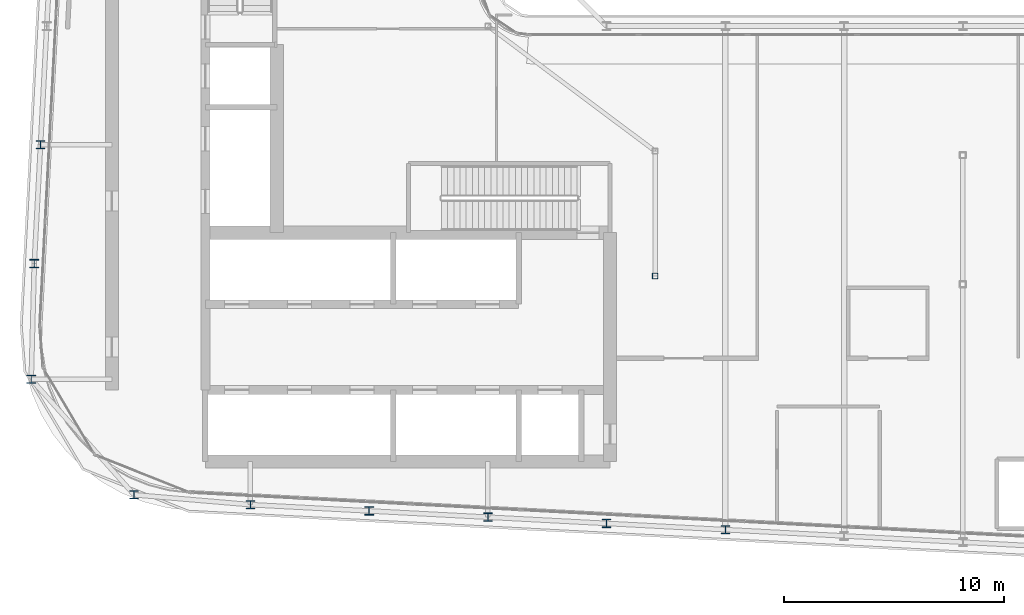
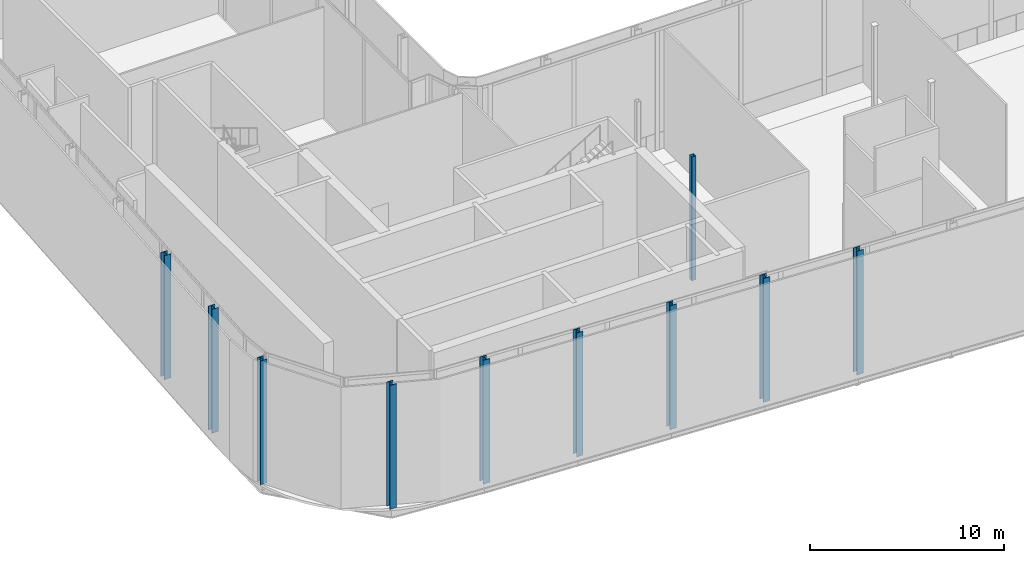
# One storey, part 1 of 27: 10 columns.
"""IFC4 building model written with IfcOpenShell, lengths in metres."""

from ifc_helpers import new_model, si_unit, direction, frame, origin, origin_2d, place, context, subcontext, project, spatial, hollow_rectangle, i_section, extrude, material, material_profile, profile_set, type_object, element, save


model = new_model("IFC4")

# Units and contexts
model_context = context("Model", 3, precision=1e-05, world=origin(), true_north=direction((0.0, 1.0)))
body_context = subcontext(model_context, "Body", "Model", "MODEL_VIEW")
ifc_project = project(units=[si_unit("LENGTHUNIT", "METRE"), si_unit("AREAUNIT", "SQUARE_METRE"), si_unit("VOLUMEUNIT", "CUBIC_METRE"), si_unit("PLANEANGLEUNIT", "RADIAN"), si_unit("MASSUNIT", "GRAM", prefix="KILO")], contexts=[model_context])

# Site, building, storey
site_placement = place(None, origin())
site = spatial("IfcSite", under=ifc_project, at=site_placement, CompositionType="ELEMENT")
building_placement = place(site_placement, origin())
building = spatial("IfcBuilding", under=site, at=building_placement, Name="Kheshtan School and Residences Tower", CompositionType="ELEMENT")
storey_placement = place(building_placement, frame((0.0, 0.0, 266.89990234375)))
storey = spatial("IfcBuildingStorey", under=building, at=storey_placement, Name="L63", CompositionType="ELEMENT", Elevation=266.89990234375)

# Columns
ifc_material_1 = material(Name="Steel ASTM A992 Grade 50", Category="steel")
ifc_material_profile_1 = material_profile(ifc_material_1, i_section(OverallWidth=0.39501953125, OverallDepth=0.3798828125, WebThickness=0.018798828125, FlangeThickness=0.0302734375, FilletRadius=0.011474609375, at=origin_2d()), Name="W360x237")
ifc_profile_set_1 = profile_set([ifc_material_profile_1], Name="Steel ASTM A992 Grade 50")
column_type_1 = type_object("IfcColumnType", Name="Column C5 W360x237 ASTM A992 Grade 50", PredefinedType="COLUMN", material=ifc_profile_set_1)
for number, where, z_axis, x_axis, name in (
    (1, (58.39990234375, 22.695068359375, 0.0), (0.0, 0.0, 1.0), (1.0, 0.0, 0.0), "Column C018"),
    (2, (53.0, 22.97998046875, 0.0), (0.0, 0.0, 1.0), (1.0, 0.0, 0.0), "Column C019"),
    (3, (47.60009765625, 23.263916015625, 0.0), (0.0, 0.0, 1.0), (1.0, 0.0, 0.0), "Column C020"),
    (4, (42.199951171875, 23.548095703125, 0.0), (0.0, 0.0, 1.0), (1.0, 0.0, 0.0), "Column C021"),
    (5, (36.800048828125, 23.83203125, 0.0), (0.0, 0.0, 1.0), (1.0, 0.0, 0.0), "Column C022"),
    (6, (31.510009765625, 24.282958984375, 0.0), (0.0, 0.0, 1.0), (1.0, 0.0, 0.0), "Column C030"),
    (7, (26.830078125, 29.5380859375, 0.0), (0.0, 0.0, 1.0), (1.0, 0.0, 0.0), "Column C043"),
    (8, (26.968994140625, 34.800048828125, 0.0), (0.0, 0.0, 1.0), (1.0, 0.0, 0.0), "Column C052"),
    (9, (27.2529296875, 40.199951171875, 0.0), (0.0, 0.0, 1.0), (1.0, 0.0, 0.0), "Column C056"),
):
    element("IfcColumn", number, at=place(storey_placement, frame(where, z_axis=z_axis, x_axis=x_axis)), inside=storey, type_object=column_type_1, Name=name, PredefinedType="COLUMN", context=body_context, shape_type="SweptSolid", body=[
        extrude(i_section(OverallWidth=0.39501953125, OverallDepth=0.3798828125, WebThickness=0.018798828125, FlangeThickness=0.0302734375, FilletRadius=0.011474609375, at=origin_2d()), origin(), (0.0, 0.0, 1.0), 7.800048828125),
    ])
ifc_material_2 = material(Name="Steel ASTM A500 Grade C", Category="steel")
ifc_material_profile_2 = material_profile(ifc_material_2, hollow_rectangle(XDim=0.25390625, YDim=0.25390625, WallThickness=0.0126953125, InnerFilletRadius=0.0126953125, OuterFilletRadius=0.025390625, at=origin_2d()), Name="HSS 254x254x12.7")
ifc_profile_set_2 = profile_set([ifc_material_profile_2], Name="Steel ASTM A500 Grade C")
column_type_2 = type_object("IfcColumnType", Name="Column IC3 HSS 254x254x12.7 ASTM A500 Grade C", PredefinedType="COLUMN", material=ifc_profile_set_2)
column_placement = place(storey_placement, frame((55.199951171875, 34.23193359375, 0.0), z_axis=(0.0, 0.0, 1.0), x_axis=(1.0, 0.0, 0.0)))
element("IfcColumn", 10, at=column_placement, inside=storey, type_object=column_type_2, Name="Column C051", PredefinedType="COLUMN", context=body_context, shape_type="SweptSolid", body=[
    extrude(hollow_rectangle(XDim=0.25390625, YDim=0.25390625, WallThickness=0.0126953125, InnerFilletRadius=0.0126953125, OuterFilletRadius=0.025390625, at=origin_2d()), origin(), (0.0, 0.0, 1.0), 7.800048828125),
])

save(model, "model.ifc")
